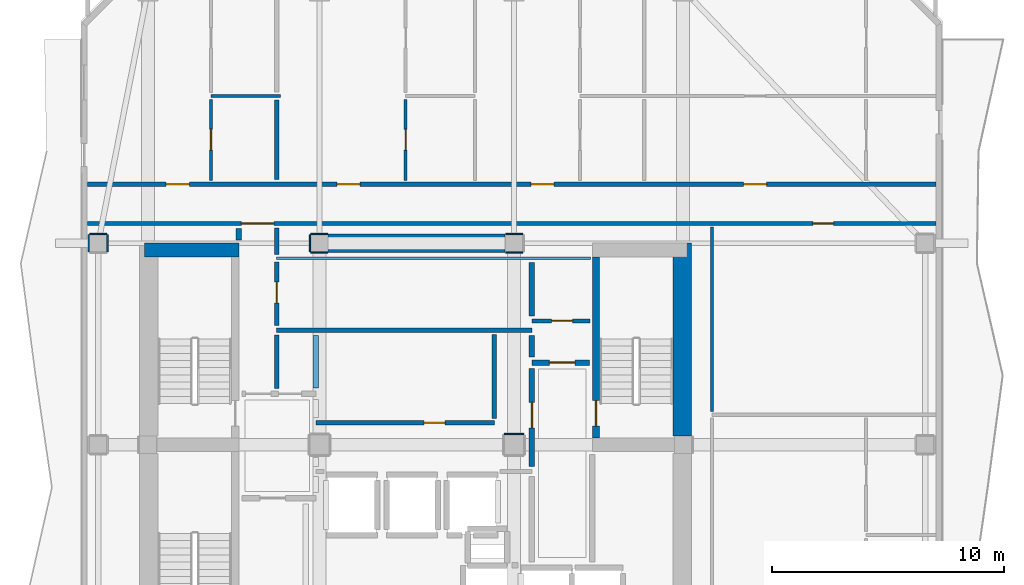
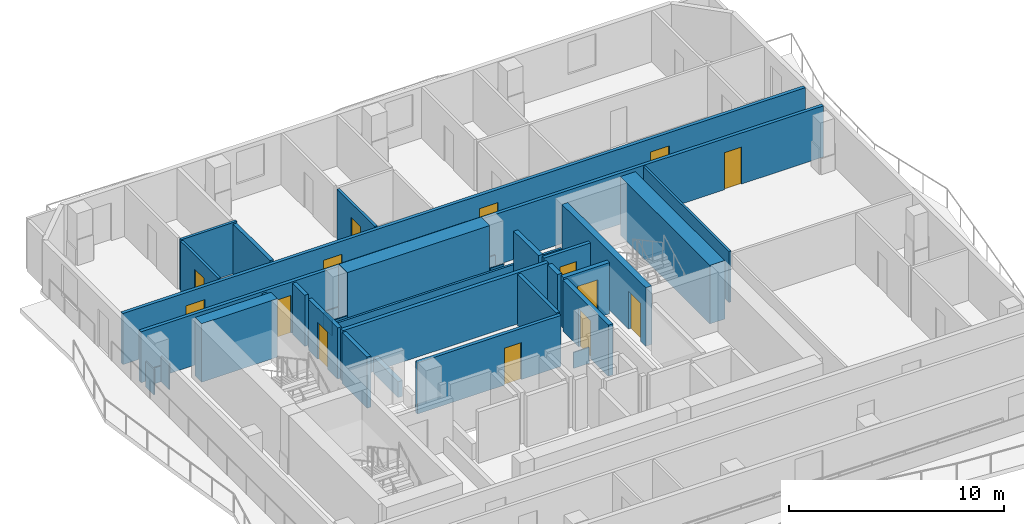
# One storey, part 4 of 9: 34 walls, 14 doors, 14 openings.
"""IFC4 building model written with IfcOpenShell, lengths in metres."""

from ifc_helpers import new_model, si_unit, direction, frame, frame_2d, origin, place, context, subcontext, project, spatial, rectangle, extrude, material, layer, layer_set, type_object, element, fill, save


model = new_model("IFC4")

# Units and contexts
model_context = context("Model", 3, precision=1e-05, world=origin(), true_north=direction((0.0, 1.0)))
body_context = subcontext(model_context, "Body", "Model", "MODEL_VIEW")
ifc_project = project(units=[si_unit("LENGTHUNIT", "METRE"), si_unit("AREAUNIT", "SQUARE_METRE"), si_unit("VOLUMEUNIT", "CUBIC_METRE"), si_unit("PLANEANGLEUNIT", "RADIAN"), si_unit("MASSUNIT", "GRAM", prefix="KILO")], contexts=[model_context])

# Site, building, storey
site_placement = place(None, origin())
site = spatial("IfcSite", under=ifc_project, at=site_placement, CompositionType="ELEMENT")
building_placement = place(site_placement, origin())
building = spatial("IfcBuilding", under=site, at=building_placement, Name="Solanera Arch Residences", CompositionType="ELEMENT")
storey_placement = place(building_placement, frame((0.0, 0.0, 247.8798828125)))
storey = spatial("IfcBuildingStorey", under=building, at=storey_placement, Name="L72", CompositionType="ELEMENT", Elevation=247.8798828125)

# Walls
ifc_material_1 = material(Name="Fire-Rated Gypsum Stud Partition", Category="gypsum")
ifc_layer_1 = layer(ifc_material_1, 0.06005859375)
ifc_layer_set_1 = layer_set([ifc_layer_1], Name="Fire-Rated Gypsum Stud Partition")
wall_type_1 = type_object("IfcWallType", Name="Column Acoustic Furring Wall 60", PredefinedType="PARTITIONING", material=ifc_layer_set_1)
for number, where, z_axis, x_axis, name in (
    (1, (20.425048828125, 38.992919921875, 0.0), (0.0, 0.0, 1.0), (1.0, 0.0, 0.0), "L72 Column Furring 3S"),
    (2, (20.425048828125, 39.806884765625, 0.0), (0.0, 0.0, 1.0), (1.0, 0.0, 0.0), "L72 Column Furring 3N"),
):
    element("IfcWall", number, at=place(storey_placement, frame(where, z_axis=z_axis, x_axis=x_axis)), inside=storey, type_object=wall_type_1, Name=name, PredefinedType="PARTITIONING", context=body_context, shape_type="SweptSolid", body=[
        extrude(rectangle(XDim=0.741943359375, YDim=0.06005859375, at=frame_2d((0.37109375, 0.0))), origin(), (0.0, 0.0, 1.0), 0.905029296875),
    ])
wall_1_placement = place(storey_placement, frame((20.39306640625, 39.02490234375, 0.0), z_axis=(0.0, 0.0, 1.0), x_axis=(0.0, 1.0, 0.0)))
element("IfcWall", 3, at=wall_1_placement, inside=storey, type_object=wall_type_1, Name="L72 Column Furring 3W", PredefinedType="PARTITIONING", context=body_context, shape_type="SweptSolid", body=[
    extrude(rectangle(XDim=0.75, YDim=0.06005859375, at=frame_2d((0.375, 0.0))), origin(), (0.0, 0.0, 1.0), 0.905029296875),
])
for number, where, z_axis, x_axis, name in (
    (4, (28.8330078125, 38.992919921875, 0.0), (0.0, 0.0, 1.0), (1.0, 0.0, 0.0), "L72 Column Furring 4S"),
    (5, (28.8330078125, 39.806884765625, 0.0), (0.0, 0.0, 1.0), (1.0, 0.0, 0.0), "L72 Column Furring 4N"),
):
    element("IfcWall", number, at=place(storey_placement, frame(where, z_axis=z_axis, x_axis=x_axis)), inside=storey, type_object=wall_type_1, Name=name, PredefinedType="PARTITIONING", context=body_context, shape_type="SweptSolid", body=[
        extrude(rectangle(XDim=0.741943359375, YDim=0.06005859375, at=frame_2d((0.37109375, 0.0))), origin(), (0.0, 0.0, 1.0), 0.905029296875),
    ])
wall_2_placement = place(storey_placement, frame((28.77490234375, 31.156982421875, 0.0), z_axis=(0.0, 0.0, 1.0), x_axis=(1.0, 0.0, 0.0)))
element("IfcWall", 6, at=wall_2_placement, inside=storey, type_object=wall_type_1, Name="L72 Column Furring 8N", PredefinedType="PARTITIONING", context=body_context, shape_type="SweptSolid", body=[
    extrude(rectangle(XDim=0.843017578125, YDim=0.06005859375, at=frame_2d((0.42138671875, 0.0))), origin(), (0.0, 0.0, 1.0), 0.905029296875),
])
wall_3_placement = place(storey_placement, frame((10.875, 39.806884765625, 0.0), z_axis=(0.0, 0.0, 1.0), x_axis=(1.0, 0.0, 0.0)))
element("IfcWall", 7, at=wall_3_placement, inside=storey, type_object=wall_type_1, Name="L72 Column Furring 21N", PredefinedType="PARTITIONING", context=body_context, shape_type="SweptSolid", body=[
    extrude(rectangle(XDim=0.75, YDim=0.06005859375, at=frame_2d((0.375, 0.0))), origin(), (0.0, 0.0, 1.0), 0.905029296875),
])
for number, where, z_axis, x_axis, name in (
    (8, (10.843017578125, 39.02490234375, 0.0), (0.0, 0.0, 1.0), (0.0, 1.0, 0.0), "L72 Column Furring 21W"),
    (9, (11.656982421875, 39.02490234375, 0.0), (0.0, 0.0, 1.0), (0.0, 1.0, 0.0), "L72 Column Furring 21E"),
):
    element("IfcWall", number, at=place(storey_placement, frame(where, z_axis=z_axis, x_axis=x_axis)), inside=storey, type_object=wall_type_1, Name=name, PredefinedType="PARTITIONING", context=body_context, shape_type="SweptSolid", body=[
        extrude(rectangle(XDim=0.75, YDim=0.06005859375, at=frame_2d((0.375, 0.0))), origin(), (0.0, 0.0, 1.0), 1.4501953125),
    ])

# Wall, opening, door
ifc_material_2 = material(Name="Concrete C40/50 (f'c = 45 MPa)", Category="concrete")
ifc_layer_2 = layer(ifc_material_2, 0.320068359375)
ifc_layer_set_2 = layer_set([ifc_layer_2], Name="Concrete C40/50 (f'c = 45 MPa)")
wall_type_2 = type_object("IfcWallType", Name="Core Shear Wall CW-320", PredefinedType="SHEAR", material=ifc_layer_set_2)
wall_4_placement = place(storey_placement, frame((32.739990234375, 31.0, 0.0), z_axis=(0.0, 0.0, 1.0), x_axis=(0.0, 1.0, 0.0)))
wall_4 = element("IfcWall", 10, at=wall_4_placement, inside=storey, type_object=wall_type_2, Name="L72 Stair ST-T2 West Shear Wall", PredefinedType="SHEAR", context=body_context, shape_type="SweptSolid", body=[
    extrude(rectangle(XDim=7.800048828125, YDim=0.320068359375, at=frame_2d((3.89990234375, 0.0))), origin(), (0.0, 0.0, 1.0), 3.320068359375),
])
opening_1_placement = place(wall_4_placement, frame((0.510009765625, 0.0, 0.0)))
opening_1 = element("IfcOpeningElement", 11, at=opening_1_placement, cuts=wall_4, Name="Opening DF-01", PredefinedType="OPENING", context=body_context, shape_type="SweptSolid", body=[
    extrude(rectangle(XDim=1.10009765625, YDim=2.14990234375, at=frame_2d((0.550048828125, 1.074951171875))), frame((0.0, 0.169921875, 0.0), z_axis=(0.0, -1.0, 0.0), x_axis=(1.0, 0.0, 0.0)), (0.0, 0.0, 1.0), 0.3401),
])
ifc_material_3 = material(Name="Fire-Rated Architectural Hardwood", Category="wood")
door_type_1 = type_object("IfcDoorType", Name="Stair Exit Fire Door DF-01", OperationType="NOTDEFINED", PredefinedType="DOOR", material=ifc_material_3)
door_1_placement = place(opening_1_placement, origin())
door_1 = element("IfcDoor", 12, at=door_1_placement, inside=storey, type_object=door_type_1, Name="DR-L72-STAIR-ST-T2", OperationType="SINGLE_SWING_RIGHT", OverallHeight=2.14990234375, OverallWidth=1.10009765625, PredefinedType="DOOR", context=body_context, shape_type="SweptSolid", body=[
    extrude(rectangle(XDim=1.10009765625, YDim=2.14990234375, at=frame_2d((0.550048828125, 1.074951171875))), frame((0.0, 0.02490234375, 0.0), z_axis=(0.0, -1.0, 0.0), x_axis=(1.0, 0.0, 0.0)), (0.0, 0.0, 1.0), 0.050048828125),
])
fill(opening_1, door_1)

# Walls
ifc_material_4 = material(Name="Concrete C40/50 (f'c = 45 MPa)", Category="concrete")
ifc_layer_3 = layer(ifc_material_4, 0.60009765625)
ifc_layer_set_3 = layer_set([ifc_layer_3], Name="Concrete C40/50 (f'c = 45 MPa)")
wall_type_3 = type_object("IfcWallType", Name="Core Shear Wall CW-600", PredefinedType="SHEAR", material=ifc_layer_set_3)
wall_5_placement = place(storey_placement, frame((13.239990234375, 39.10009765625, 0.0), z_axis=(0.0, 0.0, 1.0), x_axis=(1.0, 0.0, 0.0)))
element("IfcWall", 13, at=wall_5_placement, inside=storey, type_object=wall_type_3, Name="L72 North-West Core Shear Wall", PredefinedType="SHEAR", context=body_context, shape_type="SweptSolid", body=[
    extrude(rectangle(XDim=4.080078125, YDim=0.60009765625, at=frame_2d((2.0400390625, 0.0))), origin(), (0.0, 0.0, 1.0), 3.320068359375),
])
ifc_material_5 = material(Name="Concrete C40/50 (f'c = 45 MPa)", Category="concrete")
ifc_layer_4 = layer(ifc_material_5, 0.800048828125)
ifc_layer_set_4 = layer_set([ifc_layer_4], Name="Concrete C40/50 (f'c = 45 MPa)")
wall_type_4 = type_object("IfcWallType", Name="Core Shear Wall CW-800", PredefinedType="SHEAR", material=ifc_layer_set_4)
wall_6_placement = place(storey_placement, frame((36.4599609375, 31.080078125, 0.0), z_axis=(0.0, 0.0, 1.0), x_axis=(0.0, 1.0, 0.0)))
element("IfcWall", 14, at=wall_6_placement, inside=storey, type_object=wall_type_4, Name="L72 East Core North Shear Wall", PredefinedType="SHEAR", context=body_context, shape_type="SweptSolid", body=[
    extrude(rectangle(XDim=8.31982421875, YDim=0.800048828125, at=frame_2d((4.159912109375, 0.0))), origin(), (0.0, 0.0, 1.0), 3.320068359375),
])
wall_7_placement = place(storey_placement, frame((21.179931640625, 39.39990234375, 0.0), z_axis=(0.0, 0.0, 1.0), x_axis=(1.0, 0.0, 0.0)))
element("IfcWall", 15, at=wall_7_placement, inside=storey, type_object=wall_type_4, Name="L72 Central North Core Shear Wall", PredefinedType="SHEAR", context=body_context, shape_type="SweptSolid", body=[
    extrude(rectangle(XDim=7.64013671875, YDim=0.800048828125, at=frame_2d((3.820068359375, 0.0))), origin(), (0.0, 0.0, 1.0), 3.320068359375),
])

# Wall, opening, door
ifc_material_6 = material(Name="Autoclaved Aerated Concrete Blockwork", Category="masonry")
ifc_layer_5 = layer(ifc_material_6, 0.179931640625)
ifc_layer_set_5 = layer_set([ifc_layer_5], Name="Autoclaved Aerated Concrete Blockwork")
wall_type_5 = type_object("IfcWallType", Name="Corridor Fire Partition 180", PredefinedType="PARTITIONING", material=ifc_layer_set_5)
wall_8_placement = place(storey_placement, frame((20.64990234375, 31.64990234375, 0.0), z_axis=(0.0, 0.0, 1.0), x_axis=(1.0, 0.0, 0.0)))
wall_8 = element("IfcWall", 16, at=wall_8_placement, inside=storey, type_object=wall_type_5, Name="L72 Interior Partition H9", PredefinedType="PARTITIONING", context=body_context, shape_type="SweptSolid", body=[
    extrude(rectangle(XDim=7.7001953125, YDim=0.179931640625, at=frame_2d((3.85009765625, 0.0))), origin(), (0.0, 0.0, 1.0), 2.900146484375),
])
opening_2_placement = place(wall_8_placement, frame((4.673095703125, 0.0, 0.0)))
opening_2 = element("IfcOpeningElement", 17, at=opening_2_placement, cuts=wall_8, Name="Opening DI-02", PredefinedType="OPENING", context=body_context, shape_type="SweptSolid", body=[
    extrude(rectangle(XDim=0.89990234375, YDim=2.10009765625, at=frame_2d((0.449951171875, 1.050048828125))), frame((0.0, 0.10009765625, 0.0), z_axis=(0.0, -1.0, 0.0), x_axis=(1.0, 0.0, 0.0)), (0.0, 0.0, 1.0), 0.1999),
])
ifc_material_7 = material(Name="Fire-Rated Architectural Hardwood", Category="wood")
door_type_2 = type_object("IfcDoorType", Name="Suite Room Swing Door DI-02", OperationType="NOTDEFINED", PredefinedType="DOOR", material=ifc_material_7)
door_2_placement = place(opening_2_placement, origin())
door_2 = element("IfcDoor", 18, at=door_2_placement, inside=storey, type_object=door_type_2, Name="DR-L72-IN-013", OperationType="SINGLE_SWING_LEFT", OverallHeight=2.10009765625, OverallWidth=0.89990234375, PredefinedType="DOOR", context=body_context, shape_type="SweptSolid", body=[
    extrude(rectangle(XDim=0.89990234375, YDim=2.10009765625, at=frame_2d((0.449951171875, 1.050048828125))), frame((0.0, 0.02490234375, 0.0), z_axis=(0.0, -1.0, 0.0), x_axis=(1.0, 0.0, 0.0)), (0.0, 0.0, 1.0), 0.050048828125),
])
fill(opening_2, door_2)

wall_9_placement = place(storey_placement, frame((29.97509765625, 36.050048828125, 0.0), z_axis=(0.0, 0.0, 1.0), x_axis=(1.0, 0.0, 0.0)))
wall_9 = element("IfcWall", 19, at=wall_9_placement, inside=storey, type_object=wall_type_5, Name="L72 Interior Partition H10", PredefinedType="PARTITIONING", context=body_context, shape_type="SweptSolid", body=[
    extrude(rectangle(XDim=2.5048828125, YDim=0.179931640625, at=frame_2d((1.25244140625, 0.0))), origin(), (0.0, 0.0, 1.0), 2.900146484375),
])
opening_3_placement = place(wall_9_placement, frame((0.85205078125, 0.0, 0.0)))
opening_3 = element("IfcOpeningElement", 20, at=opening_3_placement, cuts=wall_9, Name="Opening DI-02", PredefinedType="OPENING", context=body_context, shape_type="SweptSolid", body=[
    extrude(rectangle(XDim=0.89990234375, YDim=2.10009765625, at=frame_2d((0.449951171875, 1.050048828125))), frame((0.0, 0.10009765625, 0.0), z_axis=(0.0, -1.0, 0.0), x_axis=(1.0, 0.0, 0.0)), (0.0, 0.0, 1.0), 0.1999),
])
door_3_placement = place(opening_3_placement, origin())
door_3 = element("IfcDoor", 21, at=door_3_placement, inside=storey, type_object=door_type_2, Name="DR-L72-IN-011", OperationType="SINGLE_SWING_LEFT", OverallHeight=2.10009765625, OverallWidth=0.89990234375, PredefinedType="DOOR", context=body_context, shape_type="SweptSolid", body=[
    extrude(rectangle(XDim=0.89990234375, YDim=2.10009765625, at=frame_2d((0.449951171875, 1.050048828125))), frame((0.0, 0.02490234375, 0.0), z_axis=(0.0, -1.0, 0.0), x_axis=(1.0, 0.0, 0.0)), (0.0, 0.0, 1.0), 0.050048828125),
])
fill(opening_3, door_3)

# Wall, openings, doors
wall_10_placement = place(storey_placement, frame((10.787109375, 40.25, 0.0), z_axis=(0.0, 0.0, 1.0), x_axis=(1.0, 0.0, 0.0)))
wall_10 = element("IfcWall", 22, at=wall_10_placement, inside=storey, type_object=wall_type_5, Name="L72 Interior Partition H11", PredefinedType="PARTITIONING", context=body_context, shape_type="SweptSolid", body=[
    extrude(rectangle(XDim=36.6259765625, YDim=0.179931640625, at=frame_2d((18.31298828125, 0.0))), origin(), (0.0, 0.0, 1.0), 2.900146484375),
])
opening_4_placement = place(wall_10_placement, frame((6.64794921875, 0.0, 0.0)))
opening_4 = element("IfcOpeningElement", 23, at=opening_4_placement, cuts=wall_10, Name="Opening DF-03", PredefinedType="OPENING", context=body_context, shape_type="SweptSolid", body=[
    extrude(rectangle(XDim=1.39990234375, YDim=2.14990234375, at=frame_2d((0.699951171875, 1.074951171875))), frame((0.0, 0.10009765625, 0.0), z_axis=(0.0, -1.0, 0.0), x_axis=(1.0, 0.0, 0.0)), (0.0, 0.0, 1.0), 0.1999),
])
opening_5_placement = place(wall_10_placement, frame((31.31396484375, 0.0, 0.0)))
opening_5 = element("IfcOpeningElement", 24, at=opening_5_placement, cuts=wall_10, Name="Opening DI-02", PredefinedType="OPENING", context=body_context, shape_type="SweptSolid", body=[
    extrude(rectangle(XDim=0.89990234375, YDim=2.10009765625, at=frame_2d((0.449951171875, 1.050048828125))), frame((0.0, 0.10009765625, 0.0), z_axis=(0.0, -1.0, 0.0), x_axis=(1.0, 0.0, 0.0)), (0.0, 0.0, 1.0), 0.1999),
])
ifc_material_8 = material(Name="Fire-Rated Architectural Hardwood", Category="wood")
door_type_3 = type_object("IfcDoorType", Name="Corridor Smoke Door DF-03", OperationType="NOTDEFINED", PredefinedType="DOOR", material=ifc_material_8)
door_4_placement = place(opening_4_placement, origin())
door_4 = element("IfcDoor", 25, at=door_4_placement, inside=storey, type_object=door_type_3, Name="DR-L72-IN-009", OperationType="SINGLE_SWING_LEFT", OverallHeight=2.14990234375, OverallWidth=1.39990234375, PredefinedType="DOOR", context=body_context, shape_type="SweptSolid", body=[
    extrude(rectangle(XDim=1.39990234375, YDim=2.14990234375, at=frame_2d((0.699951171875, 1.074951171875))), frame((0.0, 0.02490234375, 0.0), z_axis=(0.0, -1.0, 0.0), x_axis=(1.0, 0.0, 0.0)), (0.0, 0.0, 1.0), 0.050048828125),
])
fill(opening_4, door_4)
door_5_placement = place(opening_5_placement, origin())
door_5 = element("IfcDoor", 26, at=door_5_placement, inside=storey, type_object=door_type_2, Name="DR-L72-IN-034", OperationType="SINGLE_SWING_RIGHT", OverallHeight=2.10009765625, OverallWidth=0.89990234375, PredefinedType="DOOR", context=body_context, shape_type="SweptSolid", body=[
    extrude(rectangle(XDim=0.89990234375, YDim=2.10009765625, at=frame_2d((0.449951171875, 1.050048828125))), frame((0.0, 0.02490234375, 0.0), z_axis=(0.0, -1.0, 0.0), x_axis=(1.0, 0.0, 0.0)), (0.0, 0.0, 1.0), 0.050048828125),
])
fill(opening_5, door_5)

wall_11_placement = place(storey_placement, frame((10.787109375, 41.949951171875, 0.0), z_axis=(0.0, 0.0, 1.0), x_axis=(1.0, 0.0, 0.0)))
wall_11 = element("IfcWall", 27, at=wall_11_placement, inside=storey, type_object=wall_type_5, Name="L72 Interior Partition H12", PredefinedType="PARTITIONING", context=body_context, shape_type="SweptSolid", body=[
    extrude(rectangle(XDim=36.6259765625, YDim=0.179931640625, at=frame_2d((18.31298828125, 0.0))), origin(), (0.0, 0.0, 1.0), 2.900146484375),
])
opening_6_placement = place(wall_11_placement, frame((3.39697265625, 0.0, 0.0)))
opening_6 = element("IfcOpeningElement", 28, at=opening_6_placement, cuts=wall_11, Name="Opening DI-01", PredefinedType="OPENING", context=body_context, shape_type="SweptSolid", body=[
    extrude(rectangle(XDim=1.0, YDim=2.14990234375, at=frame_2d((0.5, 1.074951171875))), frame((0.0, 0.10009765625, 0.0), z_axis=(0.0, -1.0, 0.0), x_axis=(1.0, 0.0, 0.0)), (0.0, 0.0, 1.0), 0.1999),
])
opening_7_placement = place(wall_11_placement, frame((10.77294921875, 0.0, 0.0)))
opening_7 = element("IfcOpeningElement", 29, at=opening_7_placement, cuts=wall_11, Name="Opening DI-01", PredefinedType="OPENING", context=body_context, shape_type="SweptSolid", body=[
    extrude(rectangle(XDim=1.0, YDim=2.14990234375, at=frame_2d((0.5, 1.074951171875))), frame((0.0, 0.10009765625, 0.0), z_axis=(0.0, -1.0, 0.0), x_axis=(1.0, 0.0, 0.0)), (0.0, 0.0, 1.0), 0.1999),
])
opening_8_placement = place(wall_11_placement, frame((19.135986328125, 0.0, 0.0)))
opening_8 = element("IfcOpeningElement", 30, at=opening_8_placement, cuts=wall_11, Name="Opening DI-01", PredefinedType="OPENING", context=body_context, shape_type="SweptSolid", body=[
    extrude(rectangle(XDim=1.0, YDim=2.14990234375, at=frame_2d((0.5, 1.074951171875))), frame((0.0, 0.10009765625, 0.0), z_axis=(0.0, -1.0, 0.0), x_axis=(1.0, 0.0, 0.0)), (0.0, 0.0, 1.0), 0.1999),
])
opening_9_placement = place(wall_11_placement, frame((28.322998046875, 0.0, 0.0)))
opening_9 = element("IfcOpeningElement", 31, at=opening_9_placement, cuts=wall_11, Name="Opening DI-01", PredefinedType="OPENING", context=body_context, shape_type="SweptSolid", body=[
    extrude(rectangle(XDim=1.0, YDim=2.14990234375, at=frame_2d((0.5, 1.074951171875))), frame((0.0, 0.10009765625, 0.0), z_axis=(0.0, -1.0, 0.0), x_axis=(1.0, 0.0, 0.0)), (0.0, 0.0, 1.0), 0.1999),
])
ifc_material_9 = material(Name="Fire-Rated Architectural Hardwood", Category="wood")
door_type_4 = type_object("IfcDoorType", Name="Unit Entrance Fire Door DI-01", OperationType="NOTDEFINED", PredefinedType="DOOR", material=ifc_material_9)
door_6_placement = place(opening_6_placement, origin())
door_6 = element("IfcDoor", 32, at=door_6_placement, inside=storey, type_object=door_type_4, Name="DR-L72-IN-018", OperationType="SINGLE_SWING_RIGHT", OverallHeight=2.14990234375, OverallWidth=1.0, PredefinedType="DOOR", context=body_context, shape_type="SweptSolid", body=[
    extrude(rectangle(XDim=1.0, YDim=2.14990234375, at=frame_2d((0.5, 1.074951171875))), frame((0.0, 0.02490234375, 0.0), z_axis=(0.0, -1.0, 0.0), x_axis=(1.0, 0.0, 0.0)), (0.0, 0.0, 1.0), 0.050048828125),
])
fill(opening_6, door_6)
door_7_placement = place(opening_7_placement, origin())
door_7 = element("IfcDoor", 33, at=door_7_placement, inside=storey, type_object=door_type_4, Name="DR-L72-IN-021", OperationType="SINGLE_SWING_LEFT", OverallHeight=2.14990234375, OverallWidth=1.0, PredefinedType="DOOR", context=body_context, shape_type="SweptSolid", body=[
    extrude(rectangle(XDim=1.0, YDim=2.14990234375, at=frame_2d((0.5, 1.074951171875))), frame((0.0, 0.02490234375, 0.0), z_axis=(0.0, -1.0, 0.0), x_axis=(1.0, 0.0, 0.0)), (0.0, 0.0, 1.0), 0.050048828125),
])
fill(opening_7, door_7)
door_8_placement = place(opening_8_placement, origin())
door_8 = element("IfcDoor", 34, at=door_8_placement, inside=storey, type_object=door_type_4, Name="DR-L72-IN-024", OperationType="SINGLE_SWING_RIGHT", OverallHeight=2.14990234375, OverallWidth=1.0, PredefinedType="DOOR", context=body_context, shape_type="SweptSolid", body=[
    extrude(rectangle(XDim=1.0, YDim=2.14990234375, at=frame_2d((0.5, 1.074951171875))), frame((0.0, 0.02490234375, 0.0), z_axis=(0.0, -1.0, 0.0), x_axis=(1.0, 0.0, 0.0)), (0.0, 0.0, 1.0), 0.050048828125),
])
fill(opening_8, door_8)
door_9_placement = place(opening_9_placement, origin())
door_9 = element("IfcDoor", 35, at=door_9_placement, inside=storey, type_object=door_type_4, Name="DR-L72-IN-027", OperationType="SINGLE_SWING_LEFT", OverallHeight=2.14990234375, OverallWidth=1.0, PredefinedType="DOOR", context=body_context, shape_type="SweptSolid", body=[
    extrude(rectangle(XDim=1.0, YDim=2.14990234375, at=frame_2d((0.5, 1.074951171875))), frame((0.0, 0.02490234375, 0.0), z_axis=(0.0, -1.0, 0.0), x_axis=(1.0, 0.0, 0.0)), (0.0, 0.0, 1.0), 0.050048828125),
])
fill(opening_9, door_9)

# Walls
wall_12_placement = place(storey_placement, frame((28.35009765625, 31.837890625, 0.0), z_axis=(0.0, 0.0, 1.0), x_axis=(0.0, 1.0, 0.0)))
element("IfcWall", 36, at=wall_12_placement, inside=storey, type_object=wall_type_5, Name="L72 Interior Partition V10", PredefinedType="PARTITIONING", context=body_context, shape_type="SweptSolid", body=[
    extrude(rectangle(XDim=3.614013671875, YDim=0.179931640625, at=frame_2d((1.80712890625, 0.0))), origin(), (0.0, 0.0, 1.0), 2.900146484375),
])
ifc_material_10 = material(Name="Autoclaved Aerated Concrete Blockwork", Category="masonry")
ifc_layer_6 = layer(ifc_material_10, 0.199951171875)
ifc_layer_set_6 = layer_set([ifc_layer_6], Name="Autoclaved Aerated Concrete Blockwork")
wall_type_6 = type_object("IfcWallType", Name="Party Wall Acoustic 200", PredefinedType="PARTITIONING", material=ifc_layer_set_6)
wall_13_placement = place(storey_placement, frame((18.949951171875, 35.64990234375, 0.0), z_axis=(0.0, 0.0, 1.0), x_axis=(1.0, 0.0, 0.0)))
element("IfcWall", 37, at=wall_13_placement, inside=storey, type_object=wall_type_6, Name="L72 Interior Partition H6", PredefinedType="PARTITIONING", context=body_context, shape_type="SweptSolid", body=[
    extrude(rectangle(XDim=11.025146484375, YDim=0.199951171875, at=frame_2d((5.5126953125, 0.0))), origin(), (0.0, 0.0, 1.0), 2.900146484375),
])
wall_14_placement = place(storey_placement, frame((18.949951171875, 33.1279296875, 0.0), z_axis=(0.0, 0.0, 1.0), x_axis=(0.0, 1.0, 0.0)))
element("IfcWall", 38, at=wall_14_placement, inside=storey, type_object=wall_type_6, Name="L72 Interior Partition V6 1", PredefinedType="PARTITIONING", context=body_context, shape_type="SweptSolid", body=[
    extrude(rectangle(XDim=2.31396484375, YDim=0.199951171875, at=frame_2d((1.156982421875, 0.0))), origin(), (0.0, 0.0, 1.0), 2.900146484375),
])

# Wall, opening, door
wall_15_placement = place(storey_placement, frame((18.949951171875, 35.85791015625, 0.0), z_axis=(0.0, 0.0, 1.0), x_axis=(0.0, 1.0, 0.0)))
wall_15 = element("IfcWall", 39, at=wall_15_placement, inside=storey, type_object=wall_type_6, Name="L72 Interior Partition V6 2", PredefinedType="PARTITIONING", context=body_context, shape_type="SweptSolid", body=[
    extrude(rectangle(XDim=2.72412109375, YDim=0.199951171875, at=frame_2d((1.362060546875, 0.0))), origin(), (0.0, 0.0, 1.0), 2.900146484375),
])
opening_10_placement = place(wall_15_placement, frame((0.967041015625, 0.0, 0.0)))
opening_10 = element("IfcOpeningElement", 40, at=opening_10_placement, cuts=wall_15, Name="Opening DI-02", PredefinedType="OPENING", context=body_context, shape_type="SweptSolid", body=[
    extrude(rectangle(XDim=0.89990234375, YDim=2.10009765625, at=frame_2d((0.449951171875, 1.050048828125))), frame((0.0, 0.110107421875, 0.0), z_axis=(0.0, -1.0, 0.0), x_axis=(1.0, 0.0, 0.0)), (0.0, 0.0, 1.0), 0.22),
])
door_10_placement = place(opening_10_placement, origin())
door_10 = element("IfcDoor", 41, at=door_10_placement, inside=storey, type_object=door_type_2, Name="DR-L72-IN-012", OperationType="SINGLE_SWING_RIGHT", OverallHeight=2.10009765625, OverallWidth=0.89990234375, PredefinedType="DOOR", context=body_context, shape_type="SweptSolid", body=[
    extrude(rectangle(XDim=0.89990234375, YDim=2.10009765625, at=frame_2d((0.449951171875, 1.050048828125))), frame((0.0, 0.02490234375, 0.0), z_axis=(0.0, -1.0, 0.0), x_axis=(1.0, 0.0, 0.0)), (0.0, 0.0, 1.0), 0.050048828125),
])
fill(opening_10, door_10)

# Walls
wall_16_placement = place(storey_placement, frame((18.949951171875, 38.91796875, 0.0), z_axis=(0.0, 0.0, 1.0), x_axis=(0.0, 1.0, 0.0)))
element("IfcWall", 42, at=wall_16_placement, inside=storey, type_object=wall_type_6, Name="L72 Interior Partition V6 3", PredefinedType="PARTITIONING", context=body_context, shape_type="SweptSolid", body=[
    extrude(rectangle(XDim=1.134033203125, YDim=0.199951171875, at=frame_2d((0.56689453125, 0.0))), origin(), (0.0, 0.0, 1.0), 2.900146484375),
])
wall_17_placement = place(storey_placement, frame((18.949951171875, 42.14794921875, 0.0), z_axis=(0.0, 0.0, 1.0), x_axis=(0.0, 1.0, 0.0)))
element("IfcWall", 43, at=wall_17_placement, inside=storey, type_object=wall_type_6, Name="L72 Interior Partition V7 1", PredefinedType="PARTITIONING", context=body_context, shape_type="SweptSolid", body=[
    extrude(rectangle(XDim=3.429931640625, YDim=0.199951171875, at=frame_2d((1.71484375, 0.0))), origin(), (0.0, 0.0, 1.0), 2.900146484375),
])

# Wall, opening, door
ifc_material_11 = material(Name="Autoclaved Aerated Concrete Blockwork", Category="masonry")
ifc_layer_7 = layer(ifc_material_11, 0.239990234375)
ifc_layer_set_7 = layer_set([ifc_layer_7], Name="Autoclaved Aerated Concrete Blockwork")
wall_type_7 = type_object("IfcWallType", Name="Shaft Wall Fire-Rated 240", PredefinedType="PARTITIONING", material=ifc_layer_set_7)
wall_18_placement = place(storey_placement, frame((29.97509765625, 34.25, 0.0), z_axis=(0.0, 0.0, 1.0), x_axis=(1.0, 0.0, 0.0)))
wall_18 = element("IfcWall", 44, at=wall_18_placement, inside=storey, type_object=wall_type_7, Name="L72 Interior Partition H5", PredefinedType="PARTITIONING", context=body_context, shape_type="SweptSolid", body=[
    extrude(rectangle(XDim=2.474853515625, YDim=0.239990234375, at=frame_2d((1.2373046875, 0.0))), origin(), (0.0, 0.0, 1.0), 2.900146484375),
])
opening_11_placement = place(wall_18_placement, frame((0.751953125, 0.0, 0.0)))
opening_11 = element("IfcOpeningElement", 45, at=opening_11_placement, cuts=wall_18, Name="Opening DF-02", PredefinedType="OPENING", context=body_context, shape_type="SweptSolid", body=[
    extrude(rectangle(XDim=1.10009765625, YDim=2.14990234375, at=frame_2d((0.550048828125, 1.074951171875))), frame((0.0, 0.1298828125, 0.0), z_axis=(0.0, -1.0, 0.0), x_axis=(1.0, 0.0, 0.0)), (0.0, 0.0, 1.0), 0.26),
])
ifc_material_12 = material(Name="Fire-Rated Architectural Hardwood", Category="wood")
door_type_5 = type_object("IfcDoorType", Name="Firefighting Lobby Fire Door DF-02", OperationType="NOTDEFINED", PredefinedType="DOOR", material=ifc_material_12)
door_11_placement = place(opening_11_placement, origin())
door_11 = element("IfcDoor", 46, at=door_11_placement, inside=storey, type_object=door_type_5, Name="DR-L72-IN-007", OperationType="SINGLE_SWING_LEFT", OverallHeight=2.14990234375, OverallWidth=1.10009765625, PredefinedType="DOOR", context=body_context, shape_type="SweptSolid", body=[
    extrude(rectangle(XDim=1.10009765625, YDim=2.14990234375, at=frame_2d((0.550048828125, 1.074951171875))), frame((0.0, 0.02490234375, 0.0), z_axis=(0.0, -1.0, 0.0), x_axis=(1.0, 0.0, 0.0)), (0.0, 0.0, 1.0), 0.050048828125),
])
fill(opening_11, door_11)

# Walls
wall_19_placement = place(storey_placement, frame((17.320068359375, 39.530029296875, 0.0), z_axis=(0.0, 0.0, 1.0), x_axis=(0.0, 1.0, 0.0)))
element("IfcWall", 47, at=wall_19_placement, inside=storey, type_object=wall_type_7, Name="L72 Interior Partition V1", PredefinedType="PARTITIONING", context=body_context, shape_type="SweptSolid", body=[
    extrude(rectangle(XDim=0.501953125, YDim=0.239990234375, at=frame_2d((0.2509765625, 0.0))), origin(), (0.0, 0.0, 1.0), 2.900146484375),
])
wall_20_placement = place(storey_placement, frame((20.64990234375, 33.14794921875, 0.0), z_axis=(0.0, 0.0, 1.0), x_axis=(0.0, 1.0, 0.0)))
element("IfcWall", 48, at=wall_20_placement, inside=storey, type_object=wall_type_7, Name="L72 Interior Partition V3 4", PredefinedType="PARTITIONING", context=body_context, shape_type="SweptSolid", body=[
    extrude(rectangle(XDim=2.274169921875, YDim=0.239990234375, at=frame_2d((1.13720703125, 0.0))), origin(), (0.0, 0.0, 1.0), 0.905029296875),
])

# Wall, opening, door
wall_21_placement = place(storey_placement, frame((29.97509765625, 29.76806640625, 0.0), z_axis=(0.0, 0.0, 1.0), x_axis=(0.0, 1.0, 0.0)))
wall_21 = element("IfcWall", 49, at=wall_21_placement, inside=storey, type_object=wall_type_7, Name="L72 Interior Partition V4 2", PredefinedType="PARTITIONING", context=body_context, shape_type="SweptSolid", body=[
    extrude(rectangle(XDim=4.23388671875, YDim=0.239990234375, at=frame_2d((2.116943359375, 0.0))), origin(), (0.0, 0.0, 1.0), 2.900146484375),
])
opening_12_placement = place(wall_21_placement, frame((1.662109375, 0.0, 0.0)))
opening_12 = element("IfcOpeningElement", 50, at=opening_12_placement, cuts=wall_21, Name="Opening DF-02", PredefinedType="OPENING", context=body_context, shape_type="SweptSolid", body=[
    extrude(rectangle(XDim=1.10009765625, YDim=2.14990234375, at=frame_2d((0.550048828125, 1.074951171875))), frame((0.0, 0.1298828125, 0.0), z_axis=(0.0, -1.0, 0.0), x_axis=(1.0, 0.0, 0.0)), (0.0, 0.0, 1.0), 0.26),
])
door_12_placement = place(opening_12_placement, origin())
door_12 = element("IfcDoor", 51, at=door_12_placement, inside=storey, type_object=door_type_5, Name="DR-L72-IN-006", OperationType="SINGLE_SWING_RIGHT", OverallHeight=2.14990234375, OverallWidth=1.10009765625, PredefinedType="DOOR", context=body_context, shape_type="SweptSolid", body=[
    extrude(rectangle(XDim=1.10009765625, YDim=2.14990234375, at=frame_2d((0.550048828125, 1.074951171875))), frame((0.0, 0.02490234375, 0.0), z_axis=(0.0, -1.0, 0.0), x_axis=(1.0, 0.0, 0.0)), (0.0, 0.0, 1.0), 0.050048828125),
])
fill(opening_12, door_12)

# Walls
wall_22_placement = place(storey_placement, frame((29.97509765625, 34.498046875, 0.0), z_axis=(0.0, 0.0, 1.0), x_axis=(0.0, 1.0, 0.0)))
element("IfcWall", 52, at=wall_22_placement, inside=storey, type_object=wall_type_7, Name="L72 Interior Partition V4 3", PredefinedType="PARTITIONING", context=body_context, shape_type="SweptSolid", body=[
    extrude(rectangle(XDim=0.924072265625, YDim=0.239990234375, at=frame_2d((0.4619140625, 0.0))), origin(), (0.0, 0.0, 1.0), 2.900146484375),
])
wall_23_placement = place(storey_placement, frame((29.97509765625, 36.26806640625, 0.0), z_axis=(0.0, 0.0, 1.0), x_axis=(0.0, 1.0, 0.0)))
element("IfcWall", 53, at=wall_23_placement, inside=storey, type_object=wall_type_7, Name="L72 Interior Partition V4 4", PredefinedType="PARTITIONING", context=body_context, shape_type="SweptSolid", body=[
    extrude(rectangle(XDim=2.2939453125, YDim=0.239990234375, at=frame_2d((1.14697265625, 0.0))), origin(), (0.0, 0.0, 1.0), 2.900146484375),
])
ifc_material_13 = material(Name="Fire-Rated Gypsum Stud Partition", Category="gypsum")
ifc_layer_8 = layer(ifc_material_13, 0.1201171875)
ifc_layer_set_8 = layer_set([ifc_layer_8], Name="Fire-Rated Gypsum Stud Partition")
wall_type_8 = type_object("IfcWallType", Name="Unit Drywall Partition 120", PredefinedType="PARTITIONING", material=ifc_layer_set_8)
wall_24_placement = place(storey_placement, frame((18.949951171875, 38.75, 0.0), z_axis=(0.0, 0.0, 1.0), x_axis=(1.0, 0.0, 0.0)))
element("IfcWall", 54, at=wall_24_placement, inside=storey, type_object=wall_type_8, Name="L72 Interior Partition H20", PredefinedType="PARTITIONING", context=body_context, shape_type="SweptSolid", body=[
    extrude(rectangle(XDim=13.56005859375, YDim=0.1201171875, at=frame_2d((6.780029296875, 0.0))), origin(), (0.0, 0.0, 1.0), 0.905029296875),
])
wall_25_placement = place(storey_placement, frame((37.75, 32.137939453125, 0.0), z_axis=(0.0, 0.0, 1.0), x_axis=(0.0, 1.0, 0.0)))
element("IfcWall", 55, at=wall_25_placement, inside=storey, type_object=wall_type_8, Name="L72 Interior Partition V22 2", PredefinedType="PARTITIONING", context=body_context, shape_type="SweptSolid", body=[
    extrude(rectangle(XDim=7.9541015625, YDim=0.1201171875, at=frame_2d((3.97705078125, 0.0))), origin(), (0.0, 0.0, 1.0), 2.900146484375),
])
ifc_material_14 = material(Name="Autoclaved Aerated Concrete Blockwork", Category="masonry")
ifc_layer_9 = layer(ifc_material_14, 0.139892578125)
ifc_layer_set_9 = layer_set([ifc_layer_9], Name="Autoclaved Aerated Concrete Blockwork")
wall_type_9 = type_object("IfcWallType", Name="Wet-Room Partition 140", PredefinedType="PARTITIONING", material=ifc_layer_set_9)
wall_26_placement = place(storey_placement, frame((16.1201171875, 45.756103515625, 0.0), z_axis=(0.0, 0.0, 1.0), x_axis=(1.0, 0.0, 0.0)))
element("IfcWall", 56, at=wall_26_placement, inside=storey, type_object=wall_type_9, Name="L72 Interior Partition H16", PredefinedType="PARTITIONING", context=body_context, shape_type="SweptSolid", body=[
    extrude(rectangle(XDim=3.0, YDim=0.139892578125, at=frame_2d((1.5, 0.0))), origin(), (0.0, 0.0, 1.0), 2.900146484375),
])

# Wall, opening, door
wall_27_placement = place(storey_placement, frame((16.1201171875, 42.117919921875, 0.0), z_axis=(0.0, 0.0, 1.0), x_axis=(0.0, 1.0, 0.0)))
wall_27 = element("IfcWall", 57, at=wall_27_placement, inside=storey, type_object=wall_type_9, Name="L72 Interior Partition V13 1", PredefinedType="PARTITIONING", context=body_context, shape_type="SweptSolid", body=[
    extrude(rectangle(XDim=3.489990234375, YDim=0.139892578125, at=frame_2d((1.7451171875, 0.0))), origin(), (0.0, 0.0, 1.0), 2.900146484375),
])
opening_13_placement = place(wall_27_placement, frame((1.298095703125, 0.0, 0.0)))
opening_13 = element("IfcOpeningElement", 58, at=opening_13_placement, cuts=wall_27, Name="Opening DI-02", PredefinedType="OPENING", context=body_context, shape_type="SweptSolid", body=[
    extrude(rectangle(XDim=0.89990234375, YDim=2.10009765625, at=frame_2d((0.449951171875, 1.050048828125))), frame((0.0, 0.079833984375, 0.0), z_axis=(0.0, -1.0, 0.0), x_axis=(1.0, 0.0, 0.0)), (0.0, 0.0, 1.0), 0.1599),
])
door_13_placement = place(opening_13_placement, origin())
door_13 = element("IfcDoor", 59, at=door_13_placement, inside=storey, type_object=door_type_2, Name="DR-L72-IN-019", OperationType="SINGLE_SWING_LEFT", OverallHeight=2.10009765625, OverallWidth=0.89990234375, PredefinedType="DOOR", context=body_context, shape_type="SweptSolid", body=[
    extrude(rectangle(XDim=0.89990234375, YDim=2.10009765625, at=frame_2d((0.449951171875, 1.050048828125))), frame((0.0, 0.02490234375, 0.0), z_axis=(0.0, -1.0, 0.0), x_axis=(1.0, 0.0, 0.0)), (0.0, 0.0, 1.0), 0.050048828125),
])
fill(opening_13, door_13)

wall_28_placement = place(storey_placement, frame((24.52001953125, 42.117919921875, 0.0), z_axis=(0.0, 0.0, 1.0), x_axis=(0.0, 1.0, 0.0)))
wall_28 = element("IfcWall", 60, at=wall_28_placement, inside=storey, type_object=wall_type_9, Name="L72 Interior Partition V14 1", PredefinedType="PARTITIONING", context=body_context, shape_type="SweptSolid", body=[
    extrude(rectangle(XDim=3.489990234375, YDim=0.139892578125, at=frame_2d((1.7451171875, 0.0))), origin(), (0.0, 0.0, 1.0), 2.900146484375),
])
opening_14_placement = place(wall_28_placement, frame((1.298095703125, 0.0, 0.0)))
opening_14 = element("IfcOpeningElement", 61, at=opening_14_placement, cuts=wall_28, Name="Opening DI-02", PredefinedType="OPENING", context=body_context, shape_type="SweptSolid", body=[
    extrude(rectangle(XDim=0.89990234375, YDim=2.10009765625, at=frame_2d((0.449951171875, 1.050048828125))), frame((0.0, 0.079833984375, 0.0), z_axis=(0.0, -1.0, 0.0), x_axis=(1.0, 0.0, 0.0)), (0.0, 0.0, 1.0), 0.1599),
])
door_14_placement = place(opening_14_placement, origin())
door_14 = element("IfcDoor", 62, at=door_14_placement, inside=storey, type_object=door_type_2, Name="DR-L72-IN-022", OperationType="SINGLE_SWING_RIGHT", OverallHeight=2.10009765625, OverallWidth=0.89990234375, PredefinedType="DOOR", context=body_context, shape_type="SweptSolid", body=[
    extrude(rectangle(XDim=0.89990234375, YDim=2.10009765625, at=frame_2d((0.449951171875, 1.050048828125))), frame((0.0, 0.02490234375, 0.0), z_axis=(0.0, -1.0, 0.0), x_axis=(1.0, 0.0, 0.0)), (0.0, 0.0, 1.0), 0.050048828125),
])
fill(opening_14, door_14)

save(model, "model.ifc")
